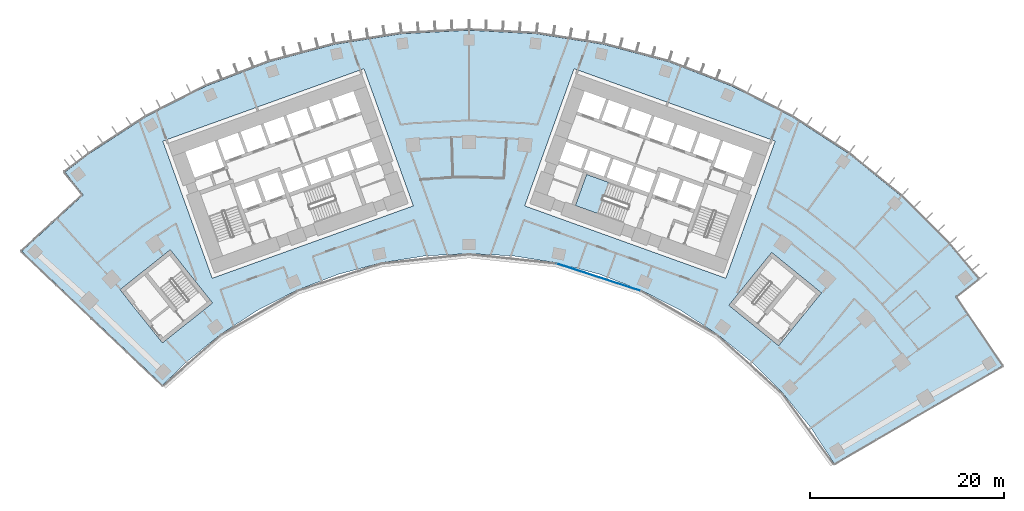
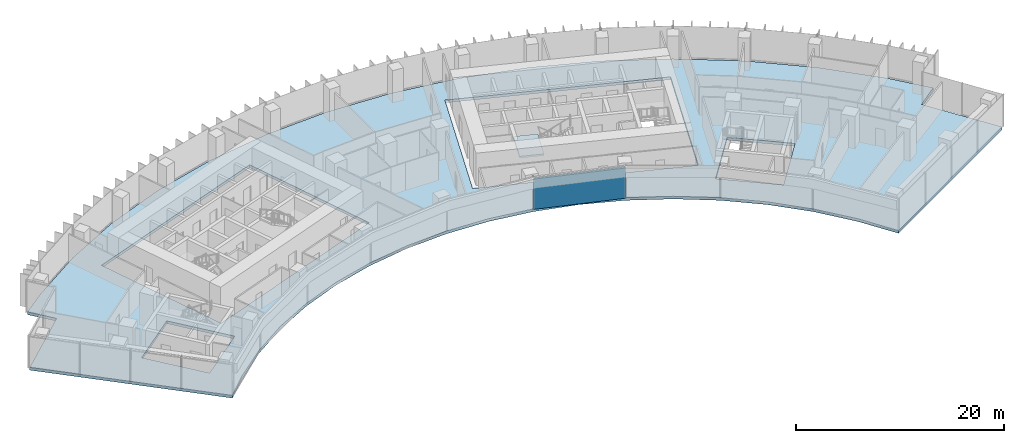
# One storey, part 13 of 22: 2 slabs, 1 plate, 2 elements without a shape of their own.
"""IFC4 building model written with IfcOpenShell, lengths in metres."""

from ifc_helpers import new_model, si_unit, direction, frame, origin, origin_2d, place, context, subcontext, project, spatial, polyline, rectangle, outline, extrude, material, layer, layer_set, type_object, element, aggregate, save


model = new_model("IFC4")

# Units and contexts
model_context = context("Model", 3, precision=1e-05, world=origin(), true_north=direction((0.0, 1.0)))
body_context = subcontext(model_context, "Body", "Model", "MODEL_VIEW")
ifc_project = project(units=[si_unit("LENGTHUNIT", "METRE"), si_unit("AREAUNIT", "SQUARE_METRE"), si_unit("VOLUMEUNIT", "CUBIC_METRE"), si_unit("PLANEANGLEUNIT", "RADIAN"), si_unit("MASSUNIT", "GRAM", prefix="KILO")], contexts=[model_context])

# Site, building, storey
site_placement = place(None, origin())
site = spatial("IfcSite", under=ifc_project, at=site_placement, CompositionType="ELEMENT")
building_placement = place(site_placement, origin())
building = spatial("IfcBuilding", under=site, at=building_placement, Name="Stone Belt Terrace Tower", CompositionType="ELEMENT")
storey_placement = place(building_placement, frame((0.0, 0.0, 132.60009765625)))
storey = spatial("IfcBuildingStorey", under=building, at=storey_placement, Name="L32", CompositionType="ELEMENT", Elevation=132.60009765625)

# Curtain wall, plate
ifc_material_1 = material(Name="Aluminium 6063-T6 anodised frame", Category="aluminium")
ifc_layer_1 = layer(ifc_material_1, 0.14990234375)
ifc_layer_set_1 = layer_set([ifc_layer_1], Name="CW-B unitised concave-face curtain wall")
curtain_wall_type = type_object("IfcCurtainWallType", Name="CW-B unitised concave-face curtain wall", PredefinedType="NOTDEFINED", material=ifc_layer_set_1)
curtain_wall_placement = place(storey_placement, origin())
curtain_wall = element("IfcCurtainWall", 1, at=curtain_wall_placement, inside=storey, type_object=curtain_wall_type, Name="CW-B concave face L32", PredefinedType="NOTDEFINED")
ifc_material_2 = material(Name="Clear double glazed unit")
ifc_layer_2 = layer(ifc_material_2, 0.030029296875)
ifc_layer_set_2 = layer_set([ifc_layer_2], Name="CW-B glass panel 30")
plate_type = type_object("IfcPlateType", Name="CW-B glass panel 30", PredefinedType="CURTAIN_PANEL", material=ifc_layer_set_2)
plate_placement = place(storey_placement, frame((13.345458984375, 41.072998046875, 0.0), z_axis=(0.0, 0.0, 1.0), x_axis=(0.951056516295, -0.309016994375, 0.0)))
plate = element("IfcPlate", 2, at=plate_placement, type_object=plate_type, Name="CW-B panel 6.1", PredefinedType="CURTAIN_PANEL", context=body_context, shape_type="SweptSolid", body=[
    extrude(rectangle(XDim=9.0126953125, YDim=0.030029296875, at=origin_2d()), origin(), (0.0, 0.0, 1.0), 3.679931640625),
])
aggregate(curtain_wall, [plate])

# Slab
ifc_material_3 = material(Name="Concrete B40", Category="concrete")
ifc_layer_3 = layer(ifc_material_3, 0.320068359375)
ifc_layer_set_3 = layer_set([ifc_layer_3], Name="Floor slab 320 B40")
slab_type_1 = type_object("IfcSlabType", Name="Floor slab 320 B40", PredefinedType="FLOOR", material=ifc_layer_set_3)
slab_1_placement = place(storey_placement, frame((0.0, 0.0, -0.320068359375)))
element("IfcSlab", 3, at=slab_1_placement, inside=storey, type_object=slab_type_1, Name="Floor slab L32", PredefinedType="FLOOR", context=body_context, shape_type="SweptSolid", body=[
    extrude(outline(polyline([(-39.087646484375, 53.799560546875), (-33.25, 57.5908203125), (-27.048095703125, 60.750732421875), (-20.549560546875, 63.245361328125), (-13.826171875, 65.046875), (-6.951171875, 66.1357421875), (0.0, 66.5), (6.951171875, 66.1357421875), (13.826171875, 65.046875), (20.549560546875, 63.245361328125), (27.048095703125, 60.750732421875), (33.25, 57.5908203125), (39.087646484375, 53.799560546875), (44.497314453125, 49.419189453125), (49.419189453125, 44.497314453125), (52.4326171875, 40.9033203125), (50.067138671875, 39.05810546875), (54.879150390625, 31.945556640625), (37.594482421875, 21.884033203125), (35.192138671875, 25.568603515625), (32.326904296875, 29.107177734375), (29.107177734375, 32.326904296875), (25.568603515625, 35.192138671875), (21.75, 37.672119140625), (17.693115234375, 39.7392578125), (13.442138671875, 41.37109375), (9.044189453125, 42.54931640625), (4.547119140625, 43.26171875), (0.0, 43.5), (-4.547119140625, 43.26171875), (-9.044189453125, 42.54931640625), (-13.442138671875, 41.37109375), (-17.693115234375, 39.7392578125), (-21.75, 37.672119140625), (-25.568603515625, 35.192138671875), (-29.107177734375, 32.326904296875), (-31.53369140625, 29.964599609375), (-46.031982421875, 43.7412109375), (-39.709228515625, 49.55224609375), (-41.585205078125, 51.893310546875), (-39.087646484375, 53.799560546875)]), holes=[polyline([(-26.434814453125, 40.968994140625), (-5.734619140625, 48.418701171875), (-10.81396484375, 62.532470703125), (-31.51416015625, 55.082763671875), (-26.434814453125, 40.968994140625)]), polyline([(10.81396484375, 62.532470703125), (5.734619140625, 48.418701171875), (26.434814453125, 40.968994140625), (31.51416015625, 55.082763671875), (10.81396484375, 62.532470703125)]), polyline([(-35.91796875, 39.787353515625), (-31.55615234375, 34.3125), (-26.39404296875, 38.425048828125), (-30.756103515625, 43.89990234375), (-35.91796875, 39.787353515625)]), polyline([(36.2783203125, 39.459228515625), (31.15380859375, 43.61865234375), (26.742431640625, 38.18359375), (31.86669921875, 34.024169921875), (36.2783203125, 39.459228515625)])]), origin(), (0.0, 0.0, 1.0), 0.320068359375),
])

# Stair, slab
stair_type = type_object("IfcStairType", Name="Exit stair 1500", PredefinedType="HALF_TURN_STAIR", material=ifc_material_3)
stair_placement = place(storey_placement, origin())
stair = element("IfcStair", 4, at=stair_placement, inside=storey, type_object=stair_type, Name="L32 Exit stair 2 core B", PredefinedType="HALF_TURN_STAIR")
ifc_layer_4 = layer(ifc_material_3, 0.199951171875)
ifc_layer_set_4 = layer_set([ifc_layer_4], Name="Stair landing 200")
slab_type_2 = type_object("IfcSlabType", Name="Stair landing 200", PredefinedType="LANDING", material=ifc_layer_set_4)
slab_2_placement = place(storey_placement, frame((0.0, 0.0, 1.699951171875)))
slab_2 = element("IfcSlab", 5, at=slab_2_placement, type_object=slab_type_2, Name="ST2B landing 1", PredefinedType="LANDING", context=body_context, shape_type="SweptSolid", body=[
    extrude(outline(polyline([(14.36474609375, 50.839111328125), (12.10595703125, 51.652099609375), (10.95458984375, 48.453125), (13.213623046875, 47.64013671875), (14.36474609375, 50.839111328125)])), origin(), (0.0, 0.0, 1.0), 0.199951171875),
])
aggregate(stair, [slab_2])

save(model, "model.ifc")
